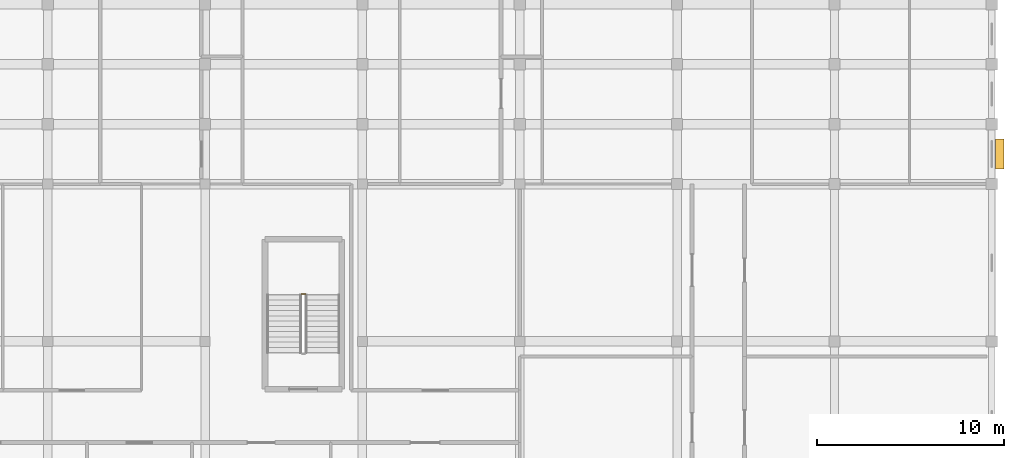
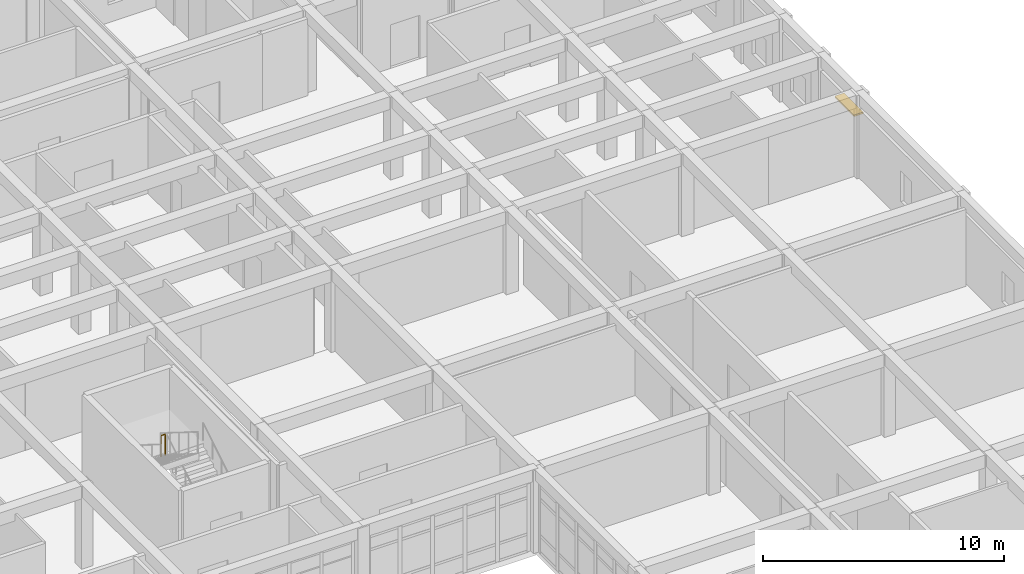
# One storey, part 76 of 77: 1 railing, 1 shading device.
"""IFC4 building model written with IfcOpenShell, lengths in metres."""

from ifc_helpers import new_model, si_unit, direction, frame, origin, origin_2d, place, context, subcontext, project, spatial, rectangle, circle, extrude, material, layer, layer_set, type_object, element, save


model = new_model("IFC4")

# Units and contexts
model_context = context("Model", 3, precision=1e-05, world=origin(), true_north=direction((0.0, 1.0)))
body_context = subcontext(model_context, "Body", "Model", "MODEL_VIEW")
ifc_project = project(units=[si_unit("LENGTHUNIT", "METRE"), si_unit("AREAUNIT", "SQUARE_METRE"), si_unit("VOLUMEUNIT", "CUBIC_METRE"), si_unit("PLANEANGLEUNIT", "RADIAN"), si_unit("MASSUNIT", "GRAM", prefix="KILO")], contexts=[model_context])

# Site, building, storey
site_placement = place(None, origin())
site = spatial("IfcSite", under=ifc_project, at=site_placement, CompositionType="ELEMENT")
building_placement = place(site_placement, origin())
building = spatial("IfcBuilding", under=site, at=building_placement, Name="Varncliffe General Hospital", CompositionType="ELEMENT")
storey_placement = place(building_placement, frame((0.0, 0.0, 16.199951171875)))
storey = spatial("IfcBuildingStorey", under=building, at=storey_placement, Name="L03", CompositionType="ELEMENT", Elevation=16.199951171875)

# Shading device
ifc_material_1 = material(Name="Dark bronze extruded aluminium solar jalousie louvres", Category="aluminium")
ifc_layer = layer(ifc_material_1, 0.080078125)
ifc_layer_set = layer_set([ifc_layer], Name="Dark bronze extruded aluminium solar jalousie louvres")
shading_device_type = type_object("IfcShadingDeviceType", Name="Bronze Solar Jalousie Louvre Hood SHD18", PredefinedType="JALOUSIE", material=ifc_layer_set)
shading_device_placement = place(storey_placement, frame((176.824951171875, 101.199951171875, 2.31005859375), z_axis=(0.0, 0.0, 1.0), x_axis=(0.0, -1.0, 0.0)))
element("IfcShadingDevice", 1, at=shading_device_placement, inside=storey, type_object=shading_device_type, Name="L03 Bronze Window Sun-Shading Louvre 69", PredefinedType="JALOUSIE", context=body_context, shape_type="SweptSolid", body=[
    extrude(rectangle(XDim=1.60009765625, YDim=0.449951171875, at=origin_2d()), origin(), (0.0, 0.0, 1.0), 0.080078125),
])

# Railing
ifc_material_2 = material(Name="Powder-coated hospital steel guardrail and handrail", Category="steel")
railing_type = type_object("IfcRailingType", Name="Stairwell Guardrail SG49", PredefinedType="GUARDRAIL", material=ifc_material_2)
railing_placement = place(storey_placement, frame((139.75, 93.72998046875, 2.10009765625)))
element("IfcRailing", 2, at=railing_placement, inside=storey, type_object=railing_type, Name="L03 ST14 stair guard 2", PredefinedType="GUARDRAIL", context=body_context, shape_type="SweptSolid", body=[
    extrude(circle(Radius=0.02392578125, at=origin_2d()), frame((0.0, 0.0, 1.076171875), z_axis=(-1.0, 0.0, 0.0), x_axis=(0.0, -1.0, 0.0)), (0.0, 0.0, 1.0), 0.199951171875),
    extrude(circle(Radius=0.02099609375, at=origin_2d()), origin(), (0.0, 0.0, 1.0), 1.052001953125),
    extrude(circle(Radius=0.02099609375, at=origin_2d()), frame((-0.199951171875, 0.0, 0.0)), (0.0, 0.0, 1.0), 1.052001953125),
])

save(model, "model.ifc")
